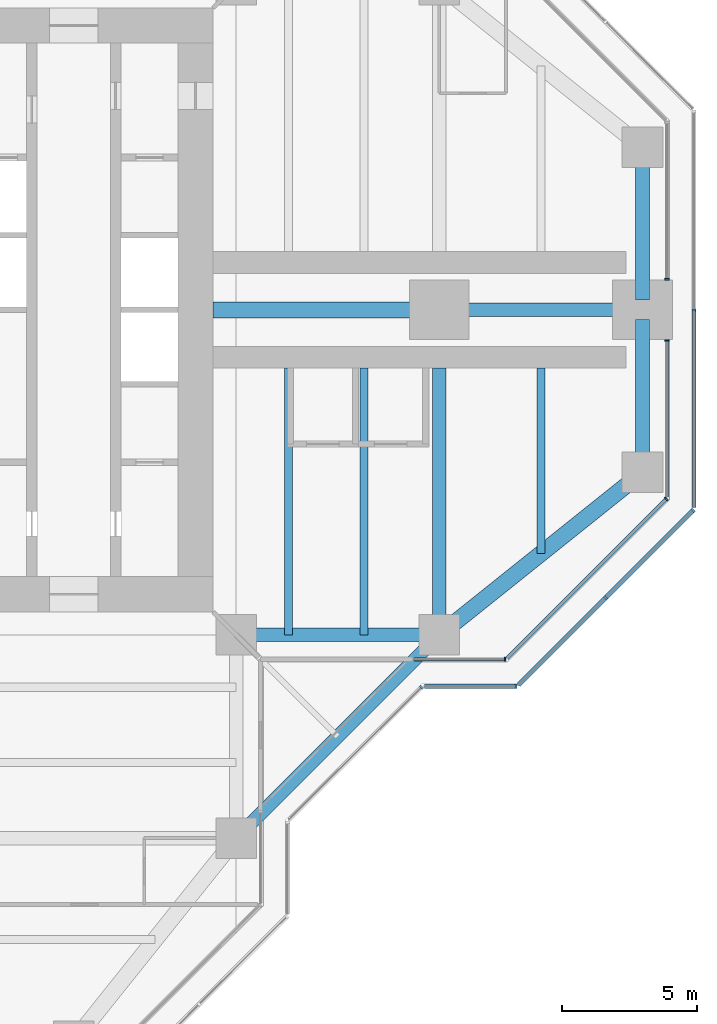
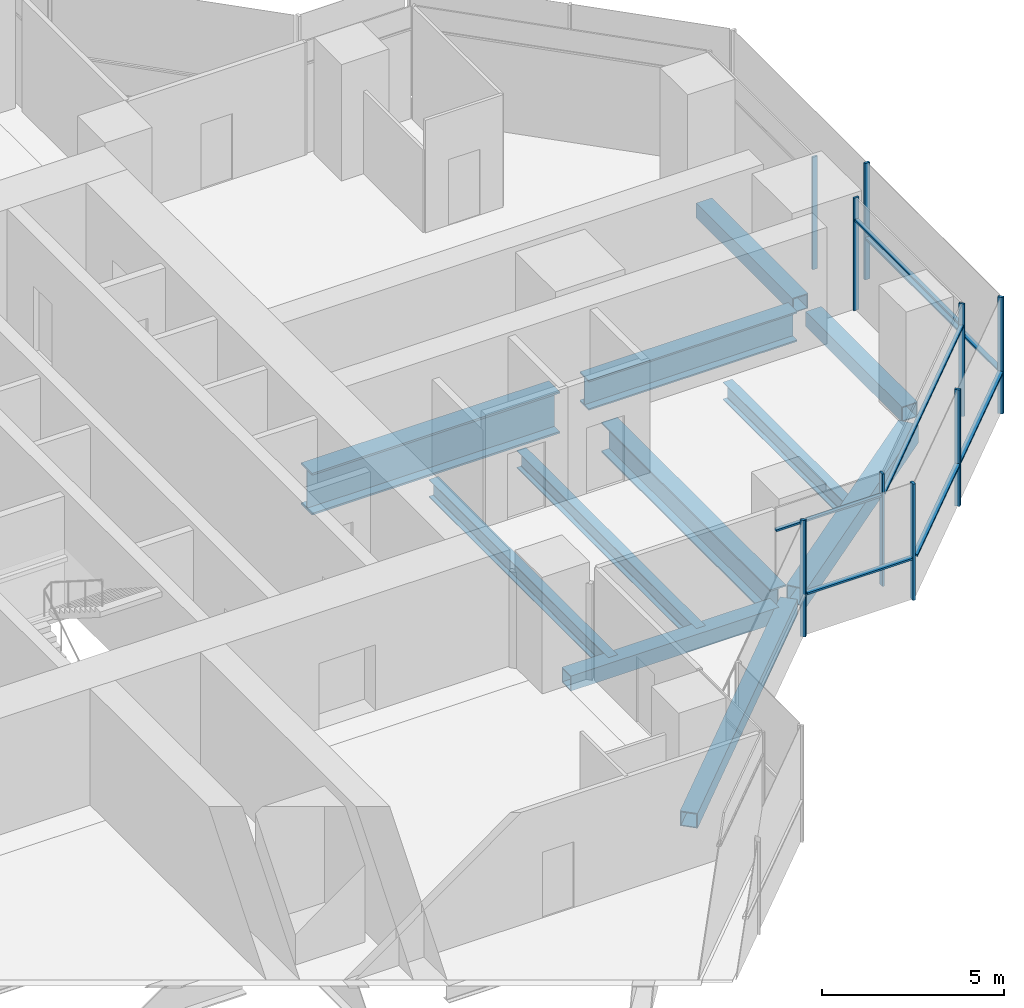
# One storey, part 5 of 17: 16 members, 11 beams, 8 elements without a shape of their own.
"""IFC4 building model written with IfcOpenShell, lengths in metres."""

from ifc_helpers import new_model, si_unit, direction, frame, origin, origin_2d, place, context, subcontext, project, spatial, rectangle, hollow_rectangle, i_section, extrude, material, material_profile, profile_set, type_object, element, aggregate, save


model = new_model("IFC4")

# Units and contexts
model_context = context("Model", 3, precision=1e-05, world=origin(), true_north=direction((0.0, 1.0)))
body_context = subcontext(model_context, "Body", "Model", "MODEL_VIEW")
ifc_project = project(units=[si_unit("LENGTHUNIT", "METRE"), si_unit("AREAUNIT", "SQUARE_METRE"), si_unit("VOLUMEUNIT", "CUBIC_METRE"), si_unit("PLANEANGLEUNIT", "RADIAN"), si_unit("MASSUNIT", "GRAM", prefix="KILO")], contexts=[model_context])

# Site, building, storey
site_placement = place(None, origin())
site = spatial("IfcSite", under=ifc_project, at=site_placement, CompositionType="ELEMENT")
building_placement = place(site_placement, origin())
building = spatial("IfcBuilding", under=site, at=building_placement, Name="Mizan Broadcast Tower", CompositionType="ELEMENT")
storey_placement = place(building_placement, frame((0.0, 0.0, 247.800048828125)))
storey = spatial("IfcBuildingStorey", under=building, at=storey_placement, Name="L58", CompositionType="ELEMENT", Elevation=247.800048828125)

# Beams
ifc_material_1 = material(Name="Steel S355", Category="steel")
ifc_material_profile_1 = material_profile(ifc_material_1, hollow_rectangle(XDim=0.5, YDim=0.5, WallThickness=0.030029296875, at=origin_2d()), Name="BOX 500x500x30")
ifc_profile_set_1 = profile_set([ifc_material_profile_1], Name="Steel S355")
beam_type_1 = type_object("IfcBeamType", Name="EDGE BEAM BOX 500x500x30", PredefinedType="SPANDREL", material=ifc_profile_set_1)
beam_1_placement = place(storey_placement, frame((12.449951171875, -12.0, -0.380126953125), z_axis=(1.0, 0.0, 0.0), x_axis=(0.0, 1.0, 0.0)))
element("IfcBeam", 1, at=beam_1_placement, inside=storey, type_object=beam_type_1, Name="Edge beam BOX 500x500x30 L58 east arm", PredefinedType="SPANDREL", context=body_context, shape_type="SweptSolid", body=[
    extrude(hollow_rectangle(XDim=0.5, YDim=0.5, WallThickness=0.030029296875, at=origin_2d()), origin(), (0.0, 0.0, 1.0), 6.60009765625),
])
for number, where, z_axis, x_axis, name in (
    (2, (27.0, -5.639892578125, -0.380126953125), (0.0, 1.0, 0.0), (-1.0, 0.0, 0.0), "Edge beam BOX 500x500x30 L58 east arm"),
    (3, (27.0, 5.639892578125, -0.380126953125), (0.0, -1.0, 0.0), (1.0, 0.0, 0.0), "Edge beam BOX 500x500x30 L58 east arm"),
):
    element("IfcBeam", number, at=place(storey_placement, frame(where, z_axis=z_axis, x_axis=x_axis)), inside=storey, type_object=beam_type_1, Name=name, PredefinedType="SPANDREL", context=body_context, shape_type="SweptSolid", body=[
        extrude(hollow_rectangle(XDim=0.5, YDim=0.5, WallThickness=0.030029296875, at=origin_2d()), origin(), (0.0, 0.0, 1.0), 5.27978515625),
    ])
beam_2_placement = place(storey_placement, frame((12.0, -19.5, -0.380126953125), z_axis=(0.707106781187, 0.707106781187, 0.0), x_axis=(-0.707106781187, 0.707106781187, 0.0)))
element("IfcBeam", 4, at=beam_2_placement, inside=storey, type_object=beam_type_1, Name="Winter garden edge beam L58 S", PredefinedType="SPANDREL", context=body_context, shape_type="SweptSolid", body=[
    extrude(hollow_rectangle(XDim=0.5, YDim=0.5, WallThickness=0.030029296875, at=origin_2d()), origin(), (0.0, 0.0, 1.0), 10.606689453125),
])
ifc_material_2 = material(Name="Steel S355", Category="steel")
ifc_material_profile_2 = material_profile(ifc_material_2, hollow_rectangle(XDim=0.60009765625, YDim=0.60009765625, WallThickness=0.030029296875, at=origin_2d()), Name="BOX 600x600x30")
ifc_profile_set_2 = profile_set([ifc_material_profile_2], Name="Steel S355")
beam_type_2 = type_object("IfcBeamType", Name="EDGE BEAM BOX 600x600x30", PredefinedType="SPANDREL", material=ifc_profile_set_2)
beam_3_placement = place(storey_placement, frame((19.949951171875, -11.639892578125, -0.429931640625), z_axis=(0.780885717636, 0.624673911726, 0.0), x_axis=(-0.624673911726, 0.780885717636, 0.0)))
element("IfcBeam", 5, at=beam_3_placement, inside=storey, type_object=beam_type_2, Name="Edge beam BOX 600x600x30 L58 east arm", PredefinedType="SPANDREL", context=body_context, shape_type="SweptSolid", body=[
    extrude(hollow_rectangle(XDim=0.60009765625, YDim=0.60009765625, WallThickness=0.030029296875, at=origin_2d()), origin(), (0.0, 0.0, 1.0), 8.4521484375),
])
ifc_material_3 = material(Name="Steel S460", Category="steel")
ifc_material_profile_3 = material_profile(ifc_material_3, i_section(OverallWidth=0.5, OverallDepth=1.0, WebThickness=0.02490234375, FlangeThickness=0.050048828125, at=origin_2d()), Name="WPG 1000x500")
ifc_profile_set_3 = profile_set([ifc_material_profile_3], Name="Steel S460")
beam_type_3 = type_object("IfcBeamType", Name="GIRDER WPG 1000x500", PredefinedType="BEAM", material=ifc_profile_set_3)
beam_4_placement = place(storey_placement, frame((19.949951171875, 0.0, -0.630126953125), z_axis=(1.0, 0.0, 0.0), x_axis=(0.0, 1.0, 0.0)))
element("IfcBeam", 6, at=beam_4_placement, inside=storey, type_object=beam_type_3, Name="Girder WPG 1000x500 L58 east arm", PredefinedType="BEAM", context=body_context, shape_type="SweptSolid", body=[
    extrude(i_section(OverallWidth=0.5, OverallDepth=1.0, WebThickness=0.02490234375, FlangeThickness=0.050048828125, at=origin_2d()), origin(), (0.0, 0.0, 1.0), 6.60009765625),
])
beam_5_placement = place(storey_placement, frame((19.5, -11.408935546875, -0.630126953125), z_axis=(0.0, 1.0, 0.0), x_axis=(-1.0, 0.0, 0.0)))
element("IfcBeam", 7, at=beam_5_placement, inside=storey, type_object=beam_type_3, Name="Girder WPG 1000x500 L58 east arm", PredefinedType="BEAM", context=body_context, shape_type="SweptSolid", body=[
    extrude(i_section(OverallWidth=0.5, OverallDepth=1.0, WebThickness=0.02490234375, FlangeThickness=0.050048828125, at=origin_2d()), origin(), (0.0, 0.0, 1.0), 9.259033203125),
])
ifc_material_4 = material(Name="Steel S460", Category="steel")
ifc_material_profile_4 = material_profile(ifc_material_4, i_section(OverallWidth=0.60009765625, OverallDepth=1.39990234375, WebThickness=0.02490234375, FlangeThickness=0.06005859375, at=origin_2d()), Name="WPG 1400x600")
ifc_profile_set_4 = profile_set([ifc_material_profile_4], Name="Steel S460")
beam_type_4 = type_object("IfcBeamType", Name="GIRDER WPG 1400x600", PredefinedType="BEAM", material=ifc_profile_set_4)
beam_6_placement = place(storey_placement, frame((11.14990234375, 0.0, -0.830078125), z_axis=(1.0, 0.0, 0.0), x_axis=(0.0, 1.0, 0.0)))
element("IfcBeam", 8, at=beam_6_placement, inside=storey, type_object=beam_type_4, Name="Girder WPG 1400x600 L58 east arm", PredefinedType="BEAM", context=body_context, shape_type="SweptSolid", body=[
    extrude(i_section(OverallWidth=0.60009765625, OverallDepth=1.39990234375, WebThickness=0.02490234375, FlangeThickness=0.06005859375, at=origin_2d()), origin(), (0.0, 0.0, 1.0), 7.84912109375),
])

# Curtain wall, member
ifc_material_5 = material(Name="Aluminium framed glazing", Category="aluminium")
curtain_wall_type_1 = type_object("IfcCurtainWallType", Name="INNER SKIN HIGH ZONE", PredefinedType="USERDEFINED", material=ifc_material_5)
curtain_wall_1_placement = place(storey_placement, origin())
curtain_wall_1 = element("IfcCurtainWall", 9, at=curtain_wall_1_placement, inside=storey, type_object=curtain_wall_type_1, Name="Inner skin high zone L58 E side", ObjectType="INNER SKIN HIGH ZONE", PredefinedType="USERDEFINED")
ifc_material_6 = material(Name="Aluminium, pale anodised", Category="aluminium")
ifc_material_profile_5 = material_profile(ifc_material_6, rectangle(XDim=0.159912109375, YDim=0.06005859375, at=origin_2d()), Name="MULLION 160x60")
ifc_profile_set_5 = profile_set([ifc_material_profile_5], Name="Aluminium, pale anodised")
member_type_1 = type_object("IfcMemberType", Name="INNER SKIN MULLION 60x160", PredefinedType="MULLION", material=ifc_profile_set_5)
member_1_placement = place(storey_placement, frame((21.928466796875, -12.89990234375, 0.0), z_axis=(0.0, 0.0, 1.0), x_axis=(0.0, 1.0, 0.0)))
member_1 = element("IfcMember", 10, at=member_1_placement, type_object=member_type_1, Name="Inner skin high zone L58 E side mullion 2", PredefinedType="MULLION", context=body_context, shape_type="SweptSolid", body=[
    extrude(rectangle(XDim=0.159912109375, YDim=0.06005859375, at=origin_2d()), origin(), (0.0, 0.0, 1.0), 3.77001953125),
])

curtain_wall_2_placement = place(storey_placement, origin())
curtain_wall_2 = element("IfcCurtainWall", 11, at=curtain_wall_2_placement, inside=storey, type_object=curtain_wall_type_1, Name="Inner skin high zone L58 E chamfer", ObjectType="INNER SKIN HIGH ZONE", PredefinedType="USERDEFINED")
member_2_placement = place(storey_placement, frame((27.87890625, -6.979736328125, 0.0), z_axis=(0.0, 0.0, 1.0), x_axis=(-0.707106781187, 0.707106781187, 0.0)))
member_2 = element("IfcMember", 12, at=member_2_placement, type_object=member_type_1, Name="Inner skin high zone L58 E chamfer mullion 2", PredefinedType="MULLION", context=body_context, shape_type="SweptSolid", body=[
    extrude(rectangle(XDim=0.159912109375, YDim=0.06005859375, at=origin_2d()), origin(), (0.0, 0.0, 1.0), 3.77001953125),
])

curtain_wall_3_placement = place(storey_placement, origin())
curtain_wall_3 = element("IfcCurtainWall", 13, at=curtain_wall_3_placement, inside=storey, type_object=curtain_wall_type_1, Name="Inner skin high zone L58 E end", ObjectType="INNER SKIN HIGH ZONE", PredefinedType="USERDEFINED")
member_3_placement = place(storey_placement, frame((27.89990234375, -1.1298828125, 0.0), z_axis=(0.0, 0.0, 1.0), x_axis=(-1.0, 0.0, 0.0)))
member_3 = element("IfcMember", 14, at=member_3_placement, type_object=member_type_1, Name="Inner skin high zone L58 E end mullion 2", PredefinedType="MULLION", context=body_context, shape_type="SweptSolid", body=[
    extrude(rectangle(XDim=0.159912109375, YDim=0.06005859375, at=origin_2d()), origin(), (0.0, 0.0, 1.0), 3.77001953125),
])

curtain_wall_4_placement = place(storey_placement, origin())
curtain_wall_4 = element("IfcCurtainWall", 15, at=curtain_wall_4_placement, inside=storey, type_object=curtain_wall_type_1, Name="Inner skin high zone L58 E end", ObjectType="INNER SKIN HIGH ZONE", PredefinedType="USERDEFINED")
member_4_placement = place(storey_placement, frame((27.89990234375, 1.1298828125, 0.0), z_axis=(0.0, 0.0, 1.0), x_axis=(-1.0, 0.0, 0.0)))
member_4 = element("IfcMember", 16, at=member_4_placement, type_object=member_type_1, Name="Inner skin high zone L58 E end mullion 1", PredefinedType="MULLION", context=body_context, shape_type="SweptSolid", body=[
    extrude(rectangle(XDim=0.159912109375, YDim=0.06005859375, at=origin_2d()), origin(), (0.0, 0.0, 1.0), 3.77001953125),
])
aggregate(curtain_wall_4, [member_4])

# Member
ifc_material_7 = material(Name="Aluminium, pale anodised", Category="aluminium")
ifc_material_profile_6 = material_profile(ifc_material_7, rectangle(XDim=0.1201171875, YDim=0.06005859375, at=origin_2d()), Name="TRANSOM 120x60")
ifc_profile_set_6 = profile_set([ifc_material_profile_6], Name="Aluminium, pale anodised")
member_type_2 = type_object("IfcMemberType", Name="INNER SKIN TRANSOM 60x120", PredefinedType="USERDEFINED", material=ifc_profile_set_6)
member_5_placement = place(storey_placement, frame((18.56005859375, -12.89990234375, 3.030029296875), z_axis=(1.0, 0.0, 0.0), x_axis=(0.0, 1.0, 0.0)))
member_5 = element("IfcMember", 17, at=member_5_placement, type_object=member_type_2, Name="Inner skin high zone L58 E side transom 1.1", ObjectType="TRANSOM", PredefinedType="USERDEFINED", context=body_context, shape_type="SweptSolid", body=[
    extrude(rectangle(XDim=0.1201171875, YDim=0.06005859375, at=origin_2d()), origin(), (0.0, 0.0, 1.0), 3.338623046875),
])

aggregate(curtain_wall_1, [member_1, member_5])

member_6_placement = place(storey_placement, frame((22.0009765625, -12.857666015625, 3.030029296875), z_axis=(0.707106781187, 0.707106781187, 0.0), x_axis=(-0.707106781187, 0.707106781187, 0.0)))
member_6 = element("IfcMember", 18, at=member_6_placement, type_object=member_type_2, Name="Inner skin high zone L58 E chamfer transom 1.1", ObjectType="TRANSOM", PredefinedType="USERDEFINED", context=body_context, shape_type="SweptSolid", body=[
    extrude(rectangle(XDim=0.1201171875, YDim=0.06005859375, at=origin_2d()), origin(), (0.0, 0.0, 1.0), 8.28271484375),
])

aggregate(curtain_wall_2, [member_2, member_6])

member_7_placement = place(storey_placement, frame((27.89990234375, -6.898681640625, 3.030029296875), z_axis=(0.0, 1.0, 0.0), x_axis=(-1.0, 0.0, 0.0)))
member_7 = element("IfcMember", 19, at=member_7_placement, type_object=member_type_2, Name="Inner skin high zone L58 E end transom 1.1", ObjectType="TRANSOM", PredefinedType="USERDEFINED", context=body_context, shape_type="SweptSolid", body=[
    extrude(rectangle(XDim=0.1201171875, YDim=0.06005859375, at=origin_2d()), origin(), (0.0, 0.0, 1.0), 5.73876953125),
])

aggregate(curtain_wall_3, [member_3, member_7])

# Curtain wall, members
ifc_material_8 = material(Name="Aluminium framed glazing", Category="aluminium")
curtain_wall_type_2 = type_object("IfcCurtainWallType", Name="OUTER SKIN", PredefinedType="USERDEFINED", material=ifc_material_8)
curtain_wall_5_placement = place(storey_placement, origin())
curtain_wall_5 = element("IfcCurtainWall", 20, at=curtain_wall_5_placement, inside=storey, type_object=curtain_wall_type_2, Name="Outer skin L58 E chamfer", ObjectType="OUTER SKIN", PredefinedType="USERDEFINED")
ifc_material_9 = material(Name="Aluminium, pale anodised", Category="aluminium")
ifc_material_profile_7 = material_profile(ifc_material_9, rectangle(XDim=0.159912109375, YDim=0.080078125, at=origin_2d()), Name="MULLION 160x80")
ifc_profile_set_7 = profile_set([ifc_material_profile_7], Name="Aluminium, pale anodised")
member_type_3 = type_object("IfcMemberType", Name="OUTER SKIN MULLION 80x160", PredefinedType="MULLION", material=ifc_profile_set_7)
member_8_placement = place(storey_placement, frame((25.636474609375, -10.636474609375, 0.0), z_axis=(0.0, 0.0, 1.0), x_axis=(-0.707106781187, 0.707106781187, 0.0)))
member_8 = element("IfcMember", 21, at=member_8_placement, type_object=member_type_3, Name="Outer skin L58 E chamfer mullion 2", PredefinedType="MULLION", context=body_context, shape_type="SweptSolid", body=[
    extrude(rectangle(XDim=0.159912109375, YDim=0.080078125, at=origin_2d()), origin(), (0.0, 0.0, 1.0), 3.89990234375),
])
member_9_placement = place(storey_placement, frame((28.871826171875, -7.401123046875, 0.0), z_axis=(0.0, 0.0, 1.0), x_axis=(-0.707106781187, 0.707106781187, 0.0)))
member_9 = element("IfcMember", 22, at=member_9_placement, type_object=member_type_3, Name="Outer skin L58 E chamfer mullion 3", PredefinedType="MULLION", context=body_context, shape_type="SweptSolid", body=[
    extrude(rectangle(XDim=0.159912109375, YDim=0.080078125, at=origin_2d()), origin(), (0.0, 0.0, 1.0), 3.89990234375),
])

# Curtain wall, member
curtain_wall_6_placement = place(storey_placement, origin())
curtain_wall_6 = element("IfcCurtainWall", 23, at=curtain_wall_6_placement, inside=storey, type_object=curtain_wall_type_2, Name="Outer skin L58 E end", ObjectType="OUTER SKIN", PredefinedType="USERDEFINED")
member_10_placement = place(storey_placement, frame((28.89990234375, 0.0, 0.0), z_axis=(0.0, 0.0, 1.0), x_axis=(-1.0, 0.0, 0.0)))
member_10 = element("IfcMember", 24, at=member_10_placement, type_object=member_type_3, Name="Outer skin L58 E end mullion 2", PredefinedType="MULLION", context=body_context, shape_type="SweptSolid", body=[
    extrude(rectangle(XDim=0.159912109375, YDim=0.080078125, at=origin_2d()), origin(), (0.0, 0.0, 1.0), 3.89990234375),
])

curtain_wall_7_placement = place(storey_placement, origin())
curtain_wall_7 = element("IfcCurtainWall", 25, at=curtain_wall_7_placement, inside=storey, type_object=curtain_wall_type_2, Name="Outer skin L58 E chamfer", ObjectType="OUTER SKIN", PredefinedType="USERDEFINED")
member_11_placement = place(storey_placement, frame((18.844482421875, -13.92822265625, 0.0), z_axis=(0.0, 0.0, 1.0), x_axis=(-0.707106781187, 0.707106781187, 0.0)))
member_11 = element("IfcMember", 26, at=member_11_placement, type_object=member_type_3, Name="Outer skin L58 E chamfer mullion 2", PredefinedType="MULLION", context=body_context, shape_type="SweptSolid", body=[
    extrude(rectangle(XDim=0.159912109375, YDim=0.080078125, at=origin_2d()), origin(), (0.0, 0.0, 1.0), 3.89990234375),
])
aggregate(curtain_wall_7, [member_11])

curtain_wall_8_placement = place(storey_placement, origin())
curtain_wall_8 = element("IfcCurtainWall", 27, at=curtain_wall_8_placement, inside=storey, type_object=curtain_wall_type_2, Name="Outer skin L58 E side", ObjectType="OUTER SKIN", PredefinedType="USERDEFINED")
member_12_placement = place(storey_placement, frame((22.332763671875, -13.89990234375, 0.0), z_axis=(0.0, 0.0, 1.0), x_axis=(0.0, 1.0, 0.0)))
member_12 = element("IfcMember", 28, at=member_12_placement, type_object=member_type_3, Name="Outer skin L58 E side mullion 2", PredefinedType="MULLION", context=body_context, shape_type="SweptSolid", body=[
    extrude(rectangle(XDim=0.159912109375, YDim=0.080078125, at=origin_2d()), origin(), (0.0, 0.0, 1.0), 3.89990234375),
])

# Member
ifc_material_10 = material(Name="Aluminium, pale anodised", Category="aluminium")
ifc_material_profile_8 = material_profile(ifc_material_10, rectangle(XDim=0.159912109375, YDim=0.06005859375, at=origin_2d()), Name="TRANSOM 160x60")
ifc_profile_set_8 = profile_set([ifc_material_profile_8], Name="Aluminium, pale anodised")
member_type_4 = type_object("IfcMemberType", Name="OUTER SKIN TRANSOM 60x160", PredefinedType="USERDEFINED", material=ifc_profile_set_8)
member_13_placement = place(storey_placement, frame((22.429443359375, -13.843505859375, 1.39990234375), z_axis=(0.707106781187, 0.707106781187, 0.0), x_axis=(-0.707106781187, 0.707106781187, 0.0)))
member_13 = element("IfcMember", 29, at=member_13_placement, type_object=member_type_4, Name="Outer skin L58 E chamfer transom 1.1", ObjectType="TRANSOM", PredefinedType="USERDEFINED", context=body_context, shape_type="SweptSolid", body=[
    extrude(rectangle(XDim=0.159912109375, YDim=0.06005859375, at=origin_2d()), origin(), (0.0, 0.0, 1.0), 4.495361328125),
])

member_14_placement = place(storey_placement, frame((25.664794921875, -10.608154296875, 1.39990234375), z_axis=(0.707106781187, 0.707106781187, 0.0), x_axis=(-0.707106781187, 0.707106781187, 0.0)))
member_14 = element("IfcMember", 30, at=member_14_placement, type_object=member_type_4, Name="Outer skin L58 E chamfer transom 2.1", ObjectType="TRANSOM", PredefinedType="USERDEFINED", context=body_context, shape_type="SweptSolid", body=[
    extrude(rectangle(XDim=0.159912109375, YDim=0.06005859375, at=origin_2d()), origin(), (0.0, 0.0, 1.0), 4.495361328125),
])

aggregate(curtain_wall_5, [member_8, member_9, member_13, member_14])

member_15_placement = place(storey_placement, frame((28.89990234375, -7.292724609375, 1.39990234375), z_axis=(0.0, 1.0, 0.0), x_axis=(-1.0, 0.0, 0.0)))
member_15 = element("IfcMember", 31, at=member_15_placement, type_object=member_type_4, Name="Outer skin L58 E end transom 1.1", ObjectType="TRANSOM", PredefinedType="USERDEFINED", context=body_context, shape_type="SweptSolid", body=[
    extrude(rectangle(XDim=0.159912109375, YDim=0.06005859375, at=origin_2d()), origin(), (0.0, 0.0, 1.0), 7.252685546875),
])

aggregate(curtain_wall_6, [member_10, member_15])

member_16_placement = place(storey_placement, frame((18.952880859375, -13.89990234375, 1.39990234375), z_axis=(1.0, 0.0, 0.0), x_axis=(0.0, 1.0, 0.0)))
member_16 = element("IfcMember", 32, at=member_16_placement, type_object=member_type_4, Name="Outer skin L58 E side transom 1.1", ObjectType="TRANSOM", PredefinedType="USERDEFINED", context=body_context, shape_type="SweptSolid", body=[
    extrude(rectangle(XDim=0.159912109375, YDim=0.06005859375, at=origin_2d()), origin(), (0.0, 0.0, 1.0), 3.33984375),
])

aggregate(curtain_wall_8, [member_12, member_16])

# Beams
ifc_material_11 = material(Name="Steel S355", Category="steel")
ifc_material_profile_9 = material_profile(ifc_material_11, i_section(OverallWidth=0.300048828125, OverallDepth=0.590087890625, WebThickness=0.012939453125, FlangeThickness=0.02490234375, FilletRadius=0.027099609375, at=origin_2d()), Name="HEA 600")
ifc_profile_set_9 = profile_set([ifc_material_profile_9], Name="Steel S355")
beam_type_5 = type_object("IfcBeamType", Name="SECONDARY BEAM HEA 600", PredefinedType="JOIST", material=ifc_profile_set_9)
for number, where, z_axis, x_axis, name in (
    (33, (13.933349609375, -12.0, -0.425048828125), (0.0, 1.0, 0.0), (-1.0, 0.0, 0.0), "Secondary beam HEA 600 L58 east arm"),
    (34, (16.716552734375, -12.0, -0.425048828125), (0.0, 1.0, 0.0), (-1.0, 0.0, 0.0), "Secondary beam HEA 600 L58 east arm"),
):
    element("IfcBeam", number, at=place(storey_placement, frame(where, z_axis=z_axis, x_axis=x_axis)), inside=storey, type_object=beam_type_5, Name=name, PredefinedType="JOIST", context=body_context, shape_type="SweptSolid", body=[
        extrude(i_section(OverallWidth=0.300048828125, OverallDepth=0.590087890625, WebThickness=0.012939453125, FlangeThickness=0.02490234375, FilletRadius=0.027099609375, at=origin_2d()), origin(), (0.0, 0.0, 1.0), 9.85009765625),
    ])
beam_7_placement = place(storey_placement, frame((23.25, -9.0, -0.425048828125), z_axis=(0.0, 1.0, 0.0), x_axis=(-1.0, 0.0, 0.0)))
element("IfcBeam", 35, at=beam_7_placement, inside=storey, type_object=beam_type_5, Name="Secondary beam HEA 600 L58 east arm", PredefinedType="JOIST", context=body_context, shape_type="SweptSolid", body=[
    extrude(i_section(OverallWidth=0.300048828125, OverallDepth=0.590087890625, WebThickness=0.012939453125, FlangeThickness=0.02490234375, FilletRadius=0.027099609375, at=origin_2d()), origin(), (0.0, 0.0, 1.0), 6.85009765625),
])

save(model, "model.ifc")
